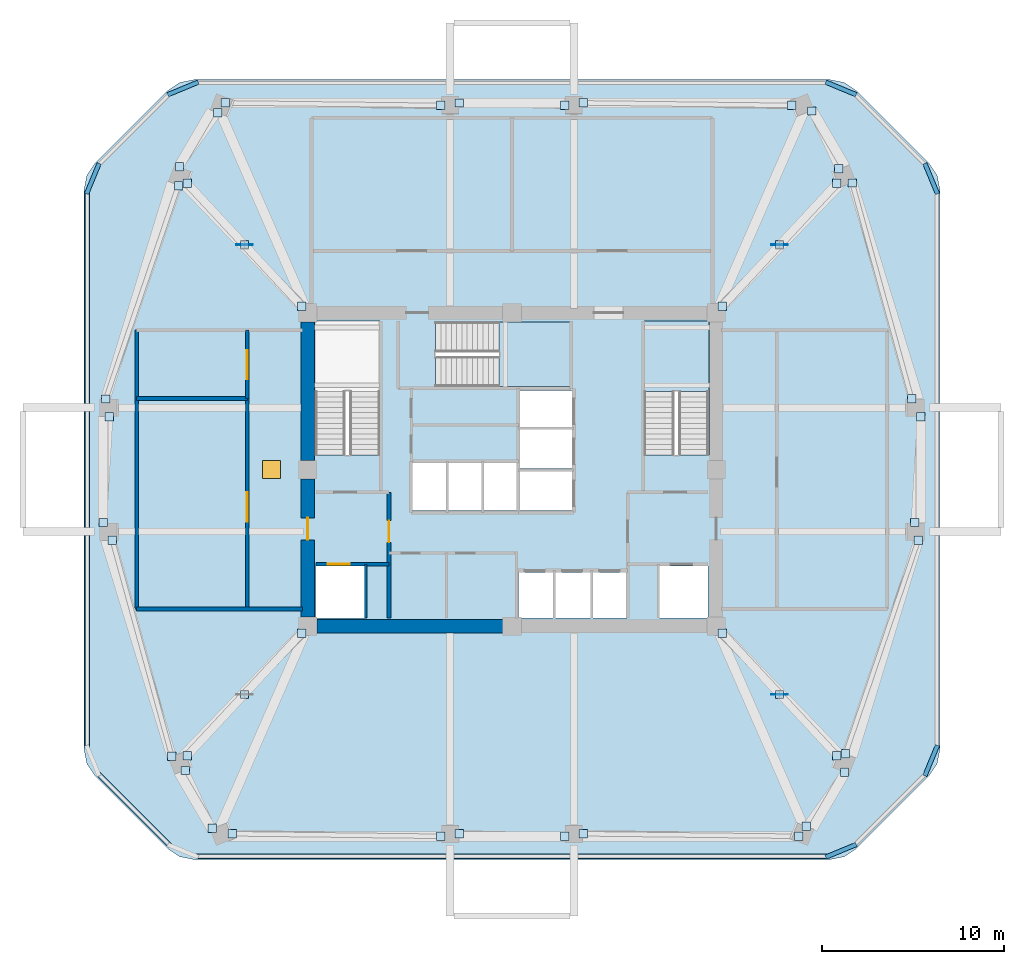
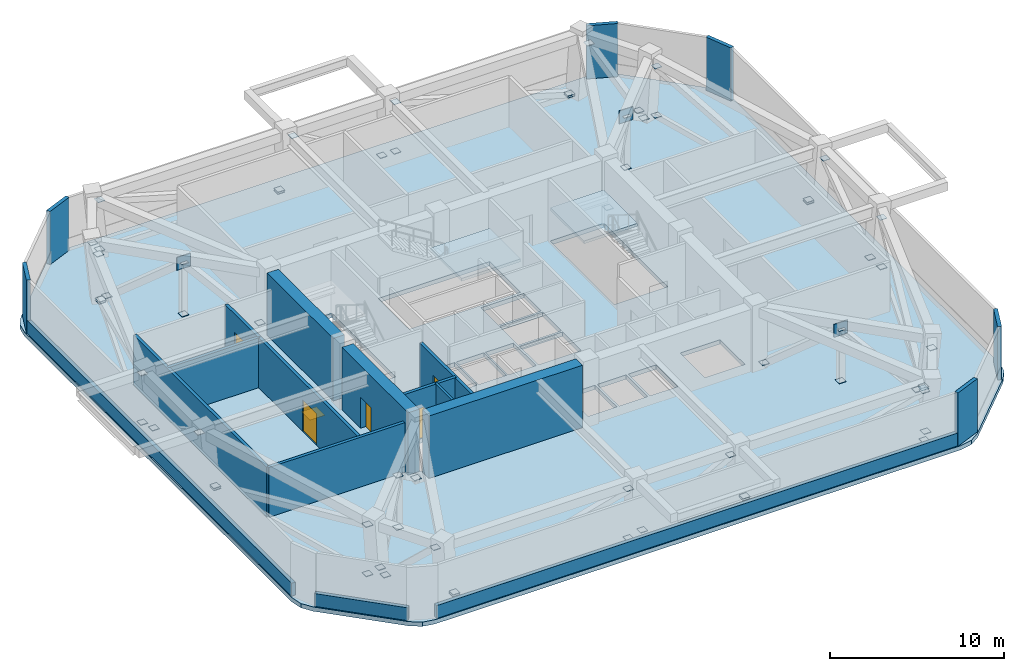
# One storey, part 3 of 8: 73 plates, 14 walls, 6 doors, 3 slabs, 6 openings, 2 elements without a shape of their own.
"""IFC4 building model written with IfcOpenShell, lengths in metres."""

from ifc_helpers import new_model, si_unit, derived_unit, direction, frame, frame_2d, origin, origin_2d, place, context, subcontext, project, spatial, polyline, rectangle, outline, extrude, material, layer, layer_set, type_object, element, fill, aggregate, save


model = new_model("IFC4")

# Units and contexts
model_context = context("Model", 3, precision=1e-05, world=origin(), true_north=direction((0.0, 1.0)))
body_context = subcontext(model_context, "Body", "Model", "MODEL_VIEW")
ifc_project = project(units=[si_unit("LENGTHUNIT", "METRE"), si_unit("AREAUNIT", "SQUARE_METRE"), si_unit("VOLUMEUNIT", "CUBIC_METRE"), si_unit("PLANEANGLEUNIT", "RADIAN"), si_unit("MASSUNIT", "GRAM", prefix="KILO"), derived_unit("THERMALTRANSMITTANCEUNIT", [(si_unit("POWERUNIT", "WATT"), 1), (si_unit("LENGTHUNIT", "METRE"), -2), (si_unit("THERMODYNAMICTEMPERATUREUNIT", "KELVIN"), -1)])], contexts=[model_context])

# Site, building, storey
site_placement = place(None, origin())
site = spatial("IfcSite", under=ifc_project, at=site_placement, CompositionType="ELEMENT")
building_placement = place(site_placement, origin())
building = spatial("IfcBuilding", under=site, at=building_placement, Name="Koralith Skygarden Medical Center", CompositionType="ELEMENT")
storey_placement = place(building_placement, frame((0.0, 0.0, 178.02001953125)))
storey = spatial("IfcBuildingStorey", under=building, at=storey_placement, Name="L46", CompositionType="ELEMENT", Elevation=178.02001953125)

# Stair, slab
ifc_material_1 = material(Name="Concrete C45/55", Category="concrete")
stair_type = type_object("IfcStairType", Name="Core Exit Dogleg Concrete Stair", PredefinedType="HALF_TURN_STAIR", material=ifc_material_1)
stair_1_placement = place(storey_placement, origin())
stair_1 = element("IfcStair", 1, at=stair_1_placement, inside=storey, type_object=stair_type, Name="L46 Smokeproof Exit Stair ST2", PredefinedType="HALF_TURN_STAIR")
ifc_layer_1 = layer(ifc_material_1, 0.199951171875)
ifc_layer_set_1 = layer_set([ifc_layer_1], Name="Concrete C45/55")
slab_type_1 = type_object("IfcSlabType", Name="Core Exit Concrete Stair Landing 200", PredefinedType="LANDING", material=ifc_layer_set_1)
slab_1_placement = place(storey_placement, frame((0.0, 0.0, 2.139892578125)))
slab_1 = element("IfcSlab", 2, at=slab_1_placement, type_object=slab_type_1, Name="ST2 landing 1", PredefinedType="LANDING", context=body_context, shape_type="SweptSolid", body=[
    extrude(outline(polyline([(47.800048828125, 30.179931640625), (47.800048828125, 34.050048828125), (44.25, 34.050048828125), (44.25, 30.179931640625), (47.800048828125, 30.179931640625)])), origin(), (0.0, 0.0, 1.0), 0.2001953125),
])
aggregate(stair_1, [slab_1])

stair_2_placement = place(storey_placement, origin())
stair_2 = element("IfcStair", 3, at=stair_2_placement, inside=storey, type_object=stair_type, Name="L46 Smokeproof Exit Stair ST3", PredefinedType="HALF_TURN_STAIR")
slab_2_placement = place(storey_placement, frame((0.0, 0.0, 2.139892578125)))
slab_2 = element("IfcSlab", 4, at=slab_2_placement, type_object=slab_type_1, Name="ST3 landing 1", PredefinedType="LANDING", context=body_context, shape_type="SweptSolid", body=[
    extrude(outline(polyline([(36.280029296875, 30.449951171875), (40.199951171875, 30.449951171875), (40.199951171875, 34.0), (36.280029296875, 34.0), (36.280029296875, 30.449951171875)])), origin(), (0.0, 0.0, 1.0), 0.2001953125),
])
aggregate(stair_2, [slab_2])

# Plates
ifc_material_2 = material(Name="Steel ASTM A572 Grade 50", Category="steel")
ifc_layer_2 = layer(ifc_material_2, 0.02490234375)
ifc_layer_set_2 = layer_set([ifc_layer_2], Name="Steel ASTM A572 Grade 50")
plate_type_1 = type_object("IfcPlateType", Name="Hollow Section End Cap Plate 25", PredefinedType="SHEET", material=ifc_layer_set_2)
for number, where, z_axis, x_axis, name in (
    (5, (48.547119140625, 34.873046875, 0.337646484375), (0.0, 0.0, 1.0), (1.0, 0.0, 0.0), "L46 Outrigger End Cap 01A"),
    (6, (51.681884765625, 38.240966796875, 3.66748046875), (0.0, 0.0, 1.0), (1.0, 0.0, 0.0), "L46 Outrigger Apex Cap 01M"),
    (7, (54.81689453125, 41.60888671875, 0.337646484375), (0.0, 0.0, 1.0), (1.0, 0.0, 0.0), "L46 Outrigger End Cap 01B"),
    (8, (51.681884765625, 38.240966796875, 0.007568359375), (0.0, 0.0, 1.0), (1.0, 0.0, 0.0), "L46 Outrigger Post Base Plate 01"),
    (9, (25.452880859375, 34.873046875, 0.337646484375), (0.0, 0.0, 1.0), (1.0, 0.0, 0.0), "L46 Outrigger End Cap 02A"),
    (10, (22.318115234375, 38.240966796875, 3.66748046875), (0.0, 0.0, 1.0), (1.0, 0.0, 0.0), "L46 Outrigger Apex Cap 02M"),
    (11, (19.18310546875, 41.60888671875, 0.337646484375), (0.0, 0.0, 1.0), (1.0, 0.0, 0.0), "L46 Outrigger End Cap 02B"),
    (12, (22.318115234375, 38.240966796875, 0.007568359375), (0.0, 0.0, 1.0), (1.0, 0.0, 0.0), "L46 Outrigger Post Base Plate 02"),
    (13, (25.452880859375, 16.927001953125, 0.337646484375), (0.0, 0.0, 1.0), (1.0, 0.0, 0.0), "L46 Outrigger End Cap 03A"),
    (14, (22.318115234375, 13.55908203125, 3.66748046875), (0.0, 0.0, 1.0), (1.0, 0.0, 0.0), "L46 Outrigger Apex Cap 03M"),
    (15, (19.18310546875, 10.19091796875, 0.337646484375), (0.0, 0.0, 1.0), (1.0, 0.0, 0.0), "L46 Outrigger End Cap 03B"),
    (16, (22.318115234375, 13.55908203125, 0.007568359375), (0.0, 0.0, 1.0), (1.0, 0.0, 0.0), "L46 Outrigger Post Base Plate 03"),
    (17, (48.547119140625, 16.927001953125, 0.337646484375), (0.0, 0.0, 1.0), (1.0, 0.0, 0.0), "L46 Outrigger End Cap 04A"),
    (18, (51.681884765625, 13.55908203125, 3.66748046875), (0.0, 0.0, 1.0), (1.0, 0.0, 0.0), "L46 Outrigger Apex Cap 04M"),
    (19, (54.81689453125, 10.19091796875, 0.337646484375), (0.0, 0.0, 1.0), (1.0, 0.0, 0.0), "L46 Outrigger End Cap 04B"),
    (20, (51.681884765625, 13.55908203125, 0.007568359375), (0.0, 0.0, 1.0), (1.0, 0.0, 0.0), "L46 Outrigger Post Base Plate 04"),
    (21, (15.069091796875, 22.01806640625, 0.337646484375), (0.0, 0.0, 1.0), (1.0, 0.0, 0.0), "L46 Belt Brace Cap 01A"),
    (22, (18.330078125, 10.172119140625, 3.66748046875), (0.0, 0.0, 1.0), (1.0, 0.0, 0.0), "L46 Belt Brace Cap 01B"),
    (23, (15.069091796875, 22.01806640625, 0.20751953125), (0.0, 0.0, 1.0), (1.0, 0.0, 0.0), "L46 Belt Chord Cap 01A"),
    (24, (18.330078125, 10.172119140625, 0.20751953125), (0.0, 0.0, 1.0), (1.0, 0.0, 0.0), "L46 Belt Chord Cap 01B"),
    (25, (19.06689453125, 9.386962890625, 0.337646484375), (0.0, 0.0, 1.0), (1.0, 0.0, 0.0), "L46 Belt Brace Cap 02A"),
    (26, (20.5439453125, 6.222900390625, 3.66748046875), (0.0, 0.0, 1.0), (1.0, 0.0, 0.0), "L46 Belt Brace Cap 02B"),
    (27, (21.64794921875, 5.9140625, 0.337646484375), (0.0, 0.0, 1.0), (1.0, 0.0, 0.0), "L46 Belt Brace Cap 03A"),
    (28, (33.10009765625, 5.77587890625, 3.66748046875), (0.0, 0.0, 1.0), (1.0, 0.0, 0.0), "L46 Belt Brace Cap 03B"),
    (29, (21.64794921875, 5.9140625, 0.20751953125), (0.0, 0.0, 1.0), (1.0, 0.0, 0.0), "L46 Belt Chord Cap 03A"),
    (30, (33.10009765625, 5.77587890625, 0.20751953125), (0.0, 0.0, 1.0), (1.0, 0.0, 0.0), "L46 Belt Chord Cap 03B"),
    (31, (34.10009765625, 5.908935546875, 0.337646484375), (0.0, 0.0, 1.0), (1.0, 0.0, 0.0), "L46 Belt Brace Cap 04A"),
    (32, (39.89990234375, 5.781005859375, 3.66748046875), (0.0, 0.0, 1.0), (1.0, 0.0, 0.0), "L46 Belt Brace Cap 04B"),
    (33, (40.89990234375, 5.9140625, 0.337646484375), (0.0, 0.0, 1.0), (1.0, 0.0, 0.0), "L46 Belt Brace Cap 05A"),
    (34, (52.7451171875, 5.77587890625, 3.66748046875), (0.0, 0.0, 1.0), (1.0, 0.0, 0.0), "L46 Belt Brace Cap 05B"),
    (35, (40.89990234375, 5.9140625, 0.20751953125), (0.0, 0.0, 1.0), (1.0, 0.0, 0.0), "L46 Belt Chord Cap 05A"),
    (36, (52.7451171875, 5.77587890625, 0.20751953125), (0.0, 0.0, 1.0), (1.0, 0.0, 0.0), "L46 Belt Chord Cap 05B"),
    (37, (53.14208984375, 6.326904296875, 0.337646484375), (0.0, 0.0, 1.0), (1.0, 0.0, 0.0), "L46 Belt Brace Cap 06A"),
    (38, (55.2470703125, 9.282958984375, 3.66748046875), (0.0, 0.0, 1.0), (1.0, 0.0, 0.0), "L46 Belt Brace Cap 06B"),
    (39, (55.304931640625, 10.31298828125, 0.337646484375), (0.0, 0.0, 1.0), (1.0, 0.0, 0.0), "L46 Belt Brace Cap 07A"),
    (40, (59.2958984375, 22.027099609375, 3.66748046875), (0.0, 0.0, 1.0), (1.0, 0.0, 0.0), "L46 Belt Brace Cap 07B"),
    (41, (55.304931640625, 10.31298828125, 0.20751953125), (0.0, 0.0, 1.0), (1.0, 0.0, 0.0), "L46 Belt Chord Cap 07A"),
    (42, (59.2958984375, 22.027099609375, 0.20751953125), (0.0, 0.0, 1.0), (1.0, 0.0, 0.0), "L46 Belt Chord Cap 07B"),
    (43, (59.093017578125, 22.9990234375, 0.337646484375), (0.0, 0.0, 1.0), (1.0, 0.0, 0.0), "L46 Belt Brace Cap 08A"),
    (44, (59.427978515625, 28.801025390625, 3.66748046875), (0.0, 0.0, 1.0), (1.0, 0.0, 0.0), "L46 Belt Brace Cap 08B"),
    (45, (58.930908203125, 29.781982421875, 0.337646484375), (0.0, 0.0, 1.0), (1.0, 0.0, 0.0), "L46 Belt Brace Cap 09A"),
    (46, (55.669921875, 41.6279296875, 3.66748046875), (0.0, 0.0, 1.0), (1.0, 0.0, 0.0), "L46 Belt Brace Cap 09B"),
    (47, (58.930908203125, 29.781982421875, 0.20751953125), (0.0, 0.0, 1.0), (1.0, 0.0, 0.0), "L46 Belt Chord Cap 09A"),
    (48, (55.669921875, 41.6279296875, 0.20751953125), (0.0, 0.0, 1.0), (1.0, 0.0, 0.0), "L46 Belt Chord Cap 09B"),
    (49, (54.93310546875, 42.4130859375, 0.337646484375), (0.0, 0.0, 1.0), (1.0, 0.0, 0.0), "L46 Belt Brace Cap 10A"),
    (50, (53.4560546875, 45.576904296875, 3.66748046875), (0.0, 0.0, 1.0), (1.0, 0.0, 0.0), "L46 Belt Brace Cap 10B"),
    (51, (52.35205078125, 45.885986328125, 0.337646484375), (0.0, 0.0, 1.0), (1.0, 0.0, 0.0), "L46 Belt Brace Cap 11A"),
    (52, (40.89990234375, 46.02392578125, 3.66748046875), (0.0, 0.0, 1.0), (1.0, 0.0, 0.0), "L46 Belt Brace Cap 11B"),
    (53, (52.35205078125, 45.885986328125, 0.20751953125), (0.0, 0.0, 1.0), (1.0, 0.0, 0.0), "L46 Belt Chord Cap 11A"),
    (54, (40.89990234375, 46.02392578125, 0.20751953125), (0.0, 0.0, 1.0), (1.0, 0.0, 0.0), "L46 Belt Chord Cap 11B"),
    (55, (39.89990234375, 45.89111328125, 0.337646484375), (0.0, 0.0, 1.0), (1.0, 0.0, 0.0), "L46 Belt Brace Cap 12A"),
    (56, (34.10009765625, 46.01904296875, 3.66748046875), (0.0, 0.0, 1.0), (1.0, 0.0, 0.0), "L46 Belt Brace Cap 12B"),
    (57, (33.10009765625, 45.885986328125, 0.337646484375), (0.0, 0.0, 1.0), (1.0, 0.0, 0.0), "L46 Belt Brace Cap 13A"),
    (58, (21.2548828125, 46.02392578125, 3.66748046875), (0.0, 0.0, 1.0), (1.0, 0.0, 0.0), "L46 Belt Brace Cap 13B"),
    (59, (33.10009765625, 45.885986328125, 0.20751953125), (0.0, 0.0, 1.0), (1.0, 0.0, 0.0), "L46 Belt Chord Cap 13A"),
    (60, (21.2548828125, 46.02392578125, 0.20751953125), (0.0, 0.0, 1.0), (1.0, 0.0, 0.0), "L46 Belt Chord Cap 13B"),
    (61, (20.85791015625, 45.472900390625, 0.337646484375), (0.0, 0.0, 1.0), (1.0, 0.0, 0.0), "L46 Belt Brace Cap 14A"),
    (62, (18.7529296875, 42.51708984375, 3.66748046875), (0.0, 0.0, 1.0), (1.0, 0.0, 0.0), "L46 Belt Brace Cap 14B"),
    (63, (18.695068359375, 41.487060546875, 0.337646484375), (0.0, 0.0, 1.0), (1.0, 0.0, 0.0), "L46 Belt Brace Cap 15A"),
    (64, (14.7041015625, 29.77294921875, 3.66748046875), (0.0, 0.0, 1.0), (1.0, 0.0, 0.0), "L46 Belt Brace Cap 15B"),
    (65, (18.695068359375, 41.487060546875, 0.20751953125), (0.0, 0.0, 1.0), (1.0, 0.0, 0.0), "L46 Belt Chord Cap 15A"),
    (66, (14.7041015625, 29.77294921875, 0.20751953125), (0.0, 0.0, 1.0), (1.0, 0.0, 0.0), "L46 Belt Chord Cap 15B"),
    (67, (14.906982421875, 28.801025390625, 0.337646484375), (0.0, 0.0, 1.0), (1.0, 0.0, 0.0), "L46 Belt Brace Cap 16A"),
    (68, (14.572021484375, 22.9990234375, 3.66748046875), (0.0, 0.0, 1.0), (1.0, 0.0, 0.0), "L46 Belt Brace Cap 16B"),
):
    element("IfcPlate", number, at=place(storey_placement, frame(where, z_axis=z_axis, x_axis=x_axis)), inside=storey, type_object=plate_type_1, Name=name, PredefinedType="SHEET", context=body_context, shape_type="SweptSolid", body=[
        extrude(rectangle(XDim=0.4599609375, YDim=0.4599609375, at=origin_2d()), origin(), (0.0, 0.0, 1.0), 0.02490234375),
    ])
ifc_layer_3 = layer(ifc_material_2, 0.0400390625)
ifc_layer_set_3 = layer_set([ifc_layer_3], Name="Steel ASTM A572 Grade 50")
plate_type_2 = type_object("IfcPlateType", Name="Outrigger Truss Gusset Plate 40", PredefinedType="USERDEFINED", material=ifc_layer_set_3)
for number, where, z_axis, x_axis, name in (
    (69, (51.681884765625, 38.240966796875, 3.22998046875), (0.0, 0.0, 1.0), (1.0, 0.0, 0.0), "L46 Outrigger Node Gusset Plate ORG-01"),
    (70, (22.318115234375, 38.240966796875, 3.22998046875), (0.0, 0.0, 1.0), (1.0, 0.0, 0.0), "L46 Outrigger Node Gusset Plate ORG-02"),
    (71, (51.681884765625, 13.55908203125, 3.22998046875), (0.0, 0.0, 1.0), (1.0, 0.0, 0.0), "L46 Outrigger Node Gusset Plate ORG-04"),
):
    element("IfcPlate", number, at=place(storey_placement, frame(where, z_axis=z_axis, x_axis=x_axis)), inside=storey, type_object=plate_type_2, Name=name, ObjectType="GUSSET_PLATE", PredefinedType="USERDEFINED", context=body_context, shape_type="SweptSolid", body=[
        extrude(rectangle(XDim=0.89990234375, YDim=0.0400390625, at=origin_2d()), origin(), (0.0, 0.0, 1.0), 0.89990234375),
    ])

# Slab, opening, door
ifc_layer_4 = layer(ifc_material_1, 0.300048828125)
ifc_layer_set_4 = layer_set([ifc_layer_4], Name="Concrete C45/55")
slab_type_2 = type_object("IfcSlabType", Name="Podium & Diagnostic Stiffened Slab 300", PredefinedType="FLOOR", material=ifc_layer_set_4)
slab_3_placement = place(storey_placement, frame((0.0, 0.0, -0.300048828125)))
slab_3 = element("IfcSlab", 72, at=slab_3_placement, inside=storey, type_object=slab_type_2, Name="Level L46 Structural Floor Slab", PredefinedType="FLOOR", context=body_context, shape_type="SweptSolid", body=[
    extrude(outline(polyline([(18.1298828125, 5.0859375), (18.779052734375, 4.652099609375), (19.5439453125, 4.5), (54.4560546875, 4.5), (55.220947265625, 4.652099609375), (55.8701171875, 5.0859375), (59.89794921875, 9.114013671875), (60.33203125, 9.762939453125), (60.48388671875, 10.528076171875), (60.48388671875, 41.27197265625), (60.33203125, 42.037109375), (59.89794921875, 42.68603515625), (55.8701171875, 46.714111328125), (55.220947265625, 47.14794921875), (54.4560546875, 47.300048828125), (19.5439453125, 47.300048828125), (18.779052734375, 47.14794921875), (18.1298828125, 46.714111328125), (14.10205078125, 42.68603515625), (13.66796875, 42.037109375), (13.51611328125, 41.27197265625), (13.51611328125, 10.528076171875), (13.66796875, 9.762939453125), (14.10205078125, 9.114013671875), (18.1298828125, 5.0859375)]), holes=[polyline([(26.199951171875, 26.705078125), (29.75, 26.705078125), (29.75, 34.050048828125), (26.199951171875, 34.050048828125), (26.199951171875, 26.705078125)]), polyline([(44.25, 26.705078125), (47.800048828125, 26.705078125), (47.800048828125, 34.050048828125), (44.25, 34.050048828125), (44.25, 26.705078125)]), polyline([(32.804931640625, 30.449951171875), (40.199951171875, 30.449951171875), (40.199951171875, 34.0), (32.804931640625, 34.0), (32.804931640625, 30.449951171875)]), polyline([(26.25, 17.75), (28.89990234375, 17.75), (28.89990234375, 20.60009765625), (26.25, 20.60009765625), (26.25, 17.75)]), polyline([(45.10009765625, 17.75), (47.75, 17.75), (47.75, 20.60009765625), (45.10009765625, 20.60009765625), (45.10009765625, 17.75)]), polyline([(37.35009765625, 17.75), (39.25, 17.75), (39.25, 20.25), (37.35009765625, 20.25), (37.35009765625, 17.75)]), polyline([(39.39990234375, 17.75), (41.300048828125, 17.75), (41.300048828125, 20.25), (39.39990234375, 20.25), (39.39990234375, 17.75)]), polyline([(41.449951171875, 17.75), (43.300048828125, 17.75), (43.300048828125, 20.25), (41.449951171875, 20.25), (41.449951171875, 17.75)]), polyline([(31.550048828125, 23.64990234375), (33.39990234375, 23.64990234375), (33.39990234375, 26.25), (31.550048828125, 26.25), (31.550048828125, 23.64990234375)]), polyline([(33.5, 23.64990234375), (35.35009765625, 23.64990234375), (35.35009765625, 26.25), (33.5, 26.25), (33.5, 23.64990234375)]), polyline([(35.449951171875, 23.64990234375), (37.300048828125, 23.64990234375), (37.300048828125, 26.25), (35.449951171875, 26.25), (35.449951171875, 23.64990234375)]), polyline([(37.449951171875, 23.64990234375), (40.300048828125, 23.64990234375), (40.300048828125, 25.800048828125), (37.449951171875, 25.800048828125), (37.449951171875, 23.64990234375)]), polyline([(37.449951171875, 25.949951171875), (40.300048828125, 25.949951171875), (40.300048828125, 28.10009765625), (37.449951171875, 28.10009765625), (37.449951171875, 25.949951171875)]), polyline([(37.449951171875, 28.25), (40.300048828125, 28.25), (40.300048828125, 30.25), (37.449951171875, 30.25), (37.449951171875, 28.25)])]), origin(), (0.0, 0.0, 1.0), 0.300048828125),
])
opening_1_placement = place(slab_3_placement, frame((23.800048828125, 25.89990234375, -0.010009765625)))
opening_1 = element("IfcOpeningElement", 73, at=opening_1_placement, cuts=slab_3, Name="Opening D-HAT", PredefinedType="OPENING", context=body_context, shape_type="SweptSolid", body=[
    extrude(rectangle(XDim=1.0, YDim=1.0, at=origin_2d()), origin(), (0.0, 0.0, 1.0), 0.320068359375),
])
ifc_material_3 = material(Name="Steel ASTM A500 Grade C", Category="steel")
door_type_1 = type_object("IfcDoorType", Name="Roof & Shaft Maintenance Access Hatch H-RF 1000", OperationType="NOTDEFINED", PredefinedType="TRAPDOOR", material=ifc_material_3)
door_1_placement = place(opening_1_placement, frame((0.0, 0.0, 0.2900390625)))
door_1 = element("IfcDoor", 74, at=door_1_placement, inside=storey, type_object=door_type_1, Name="L46 Service Access Hatch H-04", OperationType="SINGLE_SWING_LEFT", OverallHeight=1.0, OverallWidth=1.0, PredefinedType="TRAPDOOR", context=body_context, shape_type="SweptSolid", body=[
    extrude(rectangle(XDim=1.0, YDim=1.0, at=origin_2d()), origin(), (0.0, 0.0, 1.0), 0.02001953125),
])
fill(opening_1, door_1)

# Plates
ifc_material_4 = material(Name="Warm Oolitic Limestone Cladding", Category="masonry")
ifc_layer_5 = layer(ifc_material_4, 0.239990234375)
ifc_layer_set_5 = layer_set([ifc_layer_5], Name="Warm Oolitic Limestone Cladding")
plate_type_3 = type_object("IfcPlateType", Name="Rounded-Corner Oolitic Limestone Cladding Panel 240", PredefinedType="USERDEFINED", material=ifc_layer_set_5)
for number, where, z_axis, x_axis, name in (
    (75, (55.054931640625, 4.97998046875, 0.0), (0.0, 0.0, 1.0), (0.92388487569, 0.382670532536, 0.0), "L46 Rounded-Corner Limestone Pier 1"),
    (76, (60.00390625, 9.929931640625, 0.0), (0.0, 0.0, 1.0), (0.382670532536, 0.92388487569, 0.0), "L46 Rounded-Corner Limestone Pier 2"),
    (77, (60.00390625, 41.8701171875, 0.0), (0.0, 0.0, 1.0), (-0.382670532536, 0.92388487569, 0.0), "L46 Rounded-Corner Limestone Pier 3"),
    (78, (55.054931640625, 46.819091796875, 0.0), (0.0, 0.0, 1.0), (-0.92388487569, 0.382670532536, 0.0), "L46 Rounded-Corner Limestone Pier 4"),
    (79, (18.945068359375, 46.819091796875, 0.0), (0.0, 0.0, 1.0), (-0.92388487569, -0.382670532536, 0.0), "L46 Rounded-Corner Limestone Pier 5"),
    (80, (13.9970703125, 41.8701171875, 0.0), (0.0, 0.0, 1.0), (-0.382670532536, -0.92388487569, 0.0), "L46 Rounded-Corner Limestone Pier 6"),
):
    element("IfcPlate", number, at=place(storey_placement, frame(where, z_axis=z_axis, x_axis=x_axis)), inside=storey, type_object=plate_type_3, Name=name, ObjectType="LIMESTONE CLADDING", PredefinedType="USERDEFINED", context=body_context, shape_type="SweptSolid", body=[
        extrude(rectangle(XDim=1.81103515625, YDim=0.239990234375, at=origin_2d()), origin(), (0.0, 0.0, 1.0), 3.72998046875),
    ])

# Wall, opening, door
ifc_material_5 = material(Name="Gypsum Board Partition")
ifc_layer_6 = layer(ifc_material_5, 0.199951171875)
ifc_layer_set_6 = layer_set([ifc_layer_6], Name="Gypsum Board Partition")
wall_type_1 = type_object("IfcWallType", Name="Fire Shaft Wall 200", PredefinedType="SOLIDWALL", material=ifc_layer_set_6)
wall_1_placement = place(storey_placement, frame((26.25, 20.699951171875, 0.0), z_axis=(0.0, 0.0, 1.0), x_axis=(1.0, 0.0, 0.0)))
wall_1 = element("IfcWall", 81, at=wall_1_placement, inside=storey, type_object=wall_type_1, Name="L46 Fire Shaft Wall 200 W-CORE-L46-FF1-N", PredefinedType="SOLIDWALL", context=body_context, shape_type="SweptSolid", body=[
    extrude(rectangle(XDim=4.0, YDim=0.199951171875, at=frame_2d((2.0, 0.0))), origin(), (0.0, 0.0, 1.0), 3.489990234375),
])
opening_2_placement = place(wall_1_placement, frame((0.64990234375, 0.0, 0.0)))
opening_2 = element("IfcOpeningElement", 82, at=opening_2_placement, cuts=wall_1, Name="Opening LD-FF", PredefinedType="OPENING", context=body_context, shape_type="SweptSolid", body=[
    extrude(rectangle(XDim=1.199951171875, YDim=2.14990234375, at=frame_2d((0.60009765625, 1.074951171875))), frame((0.0, 0.10986328125, 0.0), z_axis=(0.0, -1.0, 0.0), x_axis=(1.0, 0.0, 0.0)), (0.0, 0.0, 1.0), 0.219970703125),
])
door_type_2 = type_object("IfcDoorType", Name="Fire Lift Sliding Landing Door LD-FF 1200", OperationType="NOTDEFINED", PredefinedType="DOOR", material=ifc_material_3)
door_2_placement = place(opening_2_placement, origin())
door_2 = element("IfcDoor", 83, at=door_2_placement, inside=storey, type_object=door_type_2, Name="L46 Fire Service Elevator FF1 Landing Door", OperationType="SLIDING_TO_LEFT", OverallHeight=2.14990234375, OverallWidth=1.199951171875, PredefinedType="DOOR", context=body_context, shape_type="SweptSolid", body=[
    extrude(rectangle(XDim=1.199951171875, YDim=2.14990234375, at=frame_2d((0.60009765625, 1.074951171875))), frame((0.0, 0.02490234375, 0.0), z_axis=(0.0, -1.0, 0.0), x_axis=(1.0, 0.0, 0.0)), (0.0, 0.0, 1.0), 0.050048828125),
])
fill(opening_2, door_2)

wall_2_placement = place(storey_placement, frame((30.25, 17.75, 0.0), z_axis=(0.0, 0.0, 1.0), x_axis=(0.0, 1.0, 0.0)))
wall_2 = element("IfcWall", 84, at=wall_2_placement, inside=storey, type_object=wall_type_1, Name="L46 Fire Shaft Wall 200 W-CORE-L46-FSAEW-E", PredefinedType="SOLIDWALL", context=body_context, shape_type="SweptSolid", body=[
    extrude(rectangle(XDim=6.89990234375, YDim=0.199951171875, at=frame_2d((3.449951171875, 0.0))), origin(), (0.0, 0.0, 1.0), 3.489990234375),
])
opening_3_placement = place(wall_2_placement, frame((4.14990234375, 0.0, 0.0)))
opening_3 = element("IfcOpeningElement", 85, at=opening_3_placement, cuts=wall_2, Name="Opening D-ST60", PredefinedType="OPENING", context=body_context, shape_type="SweptSolid", body=[
    extrude(rectangle(XDim=1.199951171875, YDim=2.14990234375, at=frame_2d((0.60009765625, 1.074951171875))), frame((0.0, 0.10986328125, 0.0), z_axis=(0.0, -1.0, 0.0), x_axis=(1.0, 0.0, 0.0)), (0.0, 0.0, 1.0), 0.219970703125),
])
door_type_3 = type_object("IfcDoorType", Name="Smokeproof Stair Fire Door FD60S 1200", OperationType="NOTDEFINED", PredefinedType="DOOR", material=ifc_material_3)
door_3_placement = place(opening_3_placement, origin())
door_3 = element("IfcDoor", 86, at=door_3_placement, inside=storey, type_object=door_type_3, Name="L46 West Firefighting Lobby Inner Fire Door", OperationType="SINGLE_SWING_LEFT", OverallHeight=2.14990234375, OverallWidth=1.199951171875, PredefinedType="DOOR", context=body_context, shape_type="SweptSolid", body=[
    extrude(rectangle(XDim=1.199951171875, YDim=2.14990234375, at=frame_2d((0.60009765625, 1.074951171875))), frame((0.0, 0.02490234375, 0.0), z_axis=(0.0, -1.0, 0.0), x_axis=(1.0, 0.0, 0.0)), (0.0, 0.0, 1.0), 0.050048828125),
])
fill(opening_3, door_3)

# Walls
wall_3_placement = place(storey_placement, frame((16.39990234375, 18.25, 0.0), z_axis=(0.0, 0.0, 1.0), x_axis=(1.0, 0.0, 0.0)))
element("IfcWall", 87, at=wall_3_placement, inside=storey, type_object=wall_type_1, Name="L46 Fire Shaft Wall 200 W-PL-L46-WC-S", PredefinedType="SOLIDWALL", context=body_context, shape_type="SweptSolid", body=[
    extrude(rectangle(XDim=9.10009765625, YDim=0.199951171875, at=frame_2d((4.550048828125, 0.0))), origin(), (0.0, 0.0, 1.0), 3.489990234375),
])
wall_4_placement = place(storey_placement, frame((16.39990234375, 18.25, 0.0), z_axis=(0.0, 0.0, 1.0), x_axis=(0.0, 1.0, 0.0)))
element("IfcWall", 88, at=wall_4_placement, inside=storey, type_object=wall_type_1, Name="L46 Fire Shaft Wall 200 W-PL-L46-WP-W", PredefinedType="SOLIDWALL", context=body_context, shape_type="SweptSolid", body=[
    extrude(rectangle(XDim=15.300048828125, YDim=0.199951171875, at=frame_2d((7.64990234375, 0.0))), origin(), (0.0, 0.0, 1.0), 3.489990234375),
])
wall_5_placement = place(storey_placement, frame((16.39990234375, 29.800048828125, 0.0), z_axis=(0.0, 0.0, 1.0), x_axis=(1.0, 0.0, 0.0)))
element("IfcWall", 89, at=wall_5_placement, inside=storey, type_object=wall_type_1, Name="L46 Fire Shaft Wall 200 W-PL-L46-WP-M", PredefinedType="SOLIDWALL", context=body_context, shape_type="SweptSolid", body=[
    extrude(rectangle(XDim=6.080078125, YDim=0.199951171875, at=frame_2d((3.0400390625, 0.0))), origin(), (0.0, 0.0, 1.0), 3.489990234375),
])

# Wall, opening, door
wall_6_placement = place(storey_placement, frame((22.47998046875, 18.25, 0.0), z_axis=(0.0, 0.0, 1.0), x_axis=(0.0, 1.0, 0.0)))
wall_6 = element("IfcWall", 90, at=wall_6_placement, inside=storey, type_object=wall_type_1, Name="L46 Fire Shaft Wall 200 W-PL-L46-WC-W1", PredefinedType="SOLIDWALL", context=body_context, shape_type="SweptSolid", body=[
    extrude(rectangle(XDim=11.550048828125, YDim=0.199951171875, at=frame_2d((5.77490234375, 0.0))), origin(), (0.0, 0.0, 1.0), 3.489990234375),
])
opening_4_placement = place(wall_6_placement, frame((4.800048828125, 0.0, 0.0)))
opening_4 = element("IfcOpeningElement", 91, at=opening_4_placement, cuts=wall_6, Name="Opening D-DBL", PredefinedType="OPENING", context=body_context, shape_type="SweptSolid", body=[
    extrude(rectangle(XDim=1.60009765625, YDim=2.199951171875, at=frame_2d((0.800048828125, 1.10009765625))), frame((0.0, 0.10986328125, 0.0), z_axis=(0.0, -1.0, 0.0), x_axis=(1.0, 0.0, 0.0)), (0.0, 0.0, 1.0), 0.219970703125),
])
ifc_material_6 = material(Name="Aluminium 6063-T6", Category="aluminium")
door_type_4 = type_object("IfcDoorType", Name="Double Clinical Suite Door D-DBL 1600", OperationType="NOTDEFINED", PredefinedType="DOOR", material=ifc_material_6)
door_4_placement = place(opening_4_placement, frame((1.60009765625, 0.0, 0.0), z_axis=(0.0, 0.0, 1.0), x_axis=(-1.0, 0.0, 0.0)))
door_4 = element("IfcDoor", 92, at=door_4_placement, inside=storey, type_object=door_type_4, Name="L46 West Pressurized Smoke Refuge Area Fire Door", OperationType="DOUBLE_DOOR_SINGLE_SWING", OverallHeight=2.199951171875, OverallWidth=1.60009765625, PredefinedType="DOOR", context=body_context, shape_type="SweptSolid", body=[
    extrude(rectangle(XDim=1.60009765625, YDim=2.199951171875, at=frame_2d((0.800048828125, 1.10009765625))), frame((0.0, 0.02490234375, 0.0), z_axis=(0.0, -1.0, 0.0), x_axis=(1.0, 0.0, 0.0)), (0.0, 0.0, 1.0), 0.050048828125),
])
fill(opening_4, door_4)

wall_7_placement = place(storey_placement, frame((22.47998046875, 29.800048828125, 0.0), z_axis=(0.0, 0.0, 1.0), x_axis=(0.0, 1.0, 0.0)))
wall_7 = element("IfcWall", 93, at=wall_7_placement, inside=storey, type_object=wall_type_1, Name="L46 Fire Shaft Wall 200 W-PL-L46-WC-W2", PredefinedType="SOLIDWALL", context=body_context, shape_type="SweptSolid", body=[
    extrude(rectangle(XDim=3.75, YDim=0.199951171875, at=frame_2d((1.875, 0.0))), origin(), (0.0, 0.0, 1.0), 3.489990234375),
])
opening_5_placement = place(wall_7_placement, frame((1.050048828125, 0.0, 0.0)))
opening_5 = element("IfcOpeningElement", 94, at=opening_5_placement, cuts=wall_7, Name="Opening D-DBL", PredefinedType="OPENING", context=body_context, shape_type="SweptSolid", body=[
    extrude(rectangle(XDim=1.60009765625, YDim=2.199951171875, at=frame_2d((0.800048828125, 1.10009765625))), frame((0.0, 0.10986328125, 0.0), z_axis=(0.0, -1.0, 0.0), x_axis=(1.0, 0.0, 0.0)), (0.0, 0.0, 1.0), 0.219970703125),
])
door_5_placement = place(opening_5_placement, frame((1.60009765625, 0.0, 0.0), z_axis=(0.0, 0.0, 1.0), x_axis=(-1.0, 0.0, 0.0)))
door_5 = element("IfcDoor", 95, at=door_5_placement, inside=storey, type_object=door_type_4, Name="L46 Fire Reserve Water Booster and BMS Plant Room Fire Door", OperationType="DOUBLE_DOOR_SINGLE_SWING", OverallHeight=2.199951171875, OverallWidth=1.60009765625, PredefinedType="DOOR", context=body_context, shape_type="SweptSolid", body=[
    extrude(rectangle(XDim=1.60009765625, YDim=2.199951171875, at=frame_2d((0.800048828125, 1.10009765625))), frame((0.0, 0.02490234375, 0.0), z_axis=(0.0, -1.0, 0.0), x_axis=(1.0, 0.0, 0.0)), (0.0, 0.0, 1.0), 0.050048828125),
])
fill(opening_5, door_5)

# Walls
ifc_layer_7 = layer(ifc_material_4, 0.239990234375)
ifc_layer_set_7 = layer_set([ifc_layer_7], Name="Warm Oolitic Limestone Cladding")
wall_type_2 = type_object("IfcWallType", Name="Limestone Spandrel Sill Backup Wall 240", PredefinedType="SOLIDWALL", material=ifc_layer_set_7)
wall_8_placement = place(storey_placement, frame((19.6708984375, 4.679931640625, 0.0), z_axis=(0.0, 0.0, 1.0), x_axis=(1.0, 0.0, 0.0)))
element("IfcWall", 96, at=wall_8_placement, inside=storey, type_object=wall_type_2, Name="L46 Plant Sill Backup Wall S", PredefinedType="SOLIDWALL", context=body_context, shape_type="SweptSolid", body=[
    extrude(rectangle(XDim=34.658203125, YDim=0.239990234375, at=frame_2d((17.3291015625, 0.0))), origin(), (0.0, 0.0, 1.0), 0.89990234375),
])
wall_9_placement = place(storey_placement, frame((13.696044921875, 41.14501953125, 0.0), z_axis=(0.0, 0.0, 1.0), x_axis=(0.0, -1.0, 0.0)))
element("IfcWall", 97, at=wall_9_placement, inside=storey, type_object=wall_type_2, Name="L46 Plant Sill Backup Wall W", PredefinedType="SOLIDWALL", context=body_context, shape_type="SweptSolid", body=[
    extrude(rectangle(XDim=30.489990234375, YDim=0.239990234375, at=frame_2d((15.2451171875, 0.0))), origin(), (0.0, 0.0, 1.0), 0.89990234375),
])
wall_10_placement = place(storey_placement, frame((14.297119140625, 9.2041015625, 0.0), z_axis=(0.0, 0.0, 1.0), x_axis=(0.707084777957, -0.707128783731, 0.0)))
element("IfcWall", 98, at=wall_10_placement, inside=storey, type_object=wall_type_2, Name="L46 Plant Sill Backup Wall SW", PredefinedType="SOLIDWALL", context=body_context, shape_type="SweptSolid", body=[
    extrude(rectangle(XDim=5.5478515625, YDim=0.239990234375, at=frame_2d((2.77392578125, 0.0))), origin(), (0.0, 0.0, 1.0), 0.89990234375),
])
ifc_material_7 = material(Name="Concrete C70/85", Category="concrete")
ifc_layer_8 = layer(ifc_material_7, 0.75)
ifc_layer_set_8 = layer_set([ifc_layer_8], Name="Concrete C70/85")
wall_type_3 = type_object("IfcWallType", Name="Mid Core Shear Wall 750", PredefinedType="SHEAR", material=ifc_layer_set_8)
wall_11_placement = place(storey_placement, frame((26.304931640625, 17.300048828125, 0.0), z_axis=(0.0, 0.0, 1.0), x_axis=(1.0, 0.0, 0.0)))
element("IfcWall", 99, at=wall_11_placement, inside=storey, type_object=wall_type_3, Name="L46 Core Shear Wall Segment 1", PredefinedType="SHEAR", context=body_context, shape_type="SweptSolid", body=[
    extrude(rectangle(XDim=10.190185546875, YDim=0.75, at=frame_2d((5.09521484375, 0.0))), origin(), (0.0, 0.0, 1.0), 4.3798828125),
])
wall_12_placement = place(storey_placement, frame((25.800048828125, 33.9951171875, 0.0), z_axis=(0.0, 0.0, 1.0), x_axis=(0.0, -1.0, 0.0)))
element("IfcWall", 100, at=wall_12_placement, inside=storey, type_object=wall_type_3, Name="L46 Core Shear Wall Segment 7", PredefinedType="SHEAR", context=body_context, shape_type="SweptSolid", body=[
    extrude(rectangle(XDim=7.590087890625, YDim=0.75, at=frame_2d((3.794921875, 0.0))), origin(), (0.0, 0.0, 1.0), 4.3798828125),
])

# Wall, opening, door
wall_13_placement = place(storey_placement, frame((25.800048828125, 25.39501953125, 0.0), z_axis=(0.0, 0.0, 1.0), x_axis=(0.0, -1.0, 0.0)))
wall_13 = element("IfcWall", 101, at=wall_13_placement, inside=storey, type_object=wall_type_3, Name="L46 Core Shear Wall Segment 8", PredefinedType="SHEAR", context=body_context, shape_type="SweptSolid", body=[
    extrude(rectangle(XDim=7.590087890625, YDim=0.75, at=frame_2d((3.794921875, 0.0))), origin(), (0.0, 0.0, 1.0), 4.3798828125),
])
opening_6_placement = place(wall_13_placement, frame((2.14501953125, 0.0, 0.0)))
opening_6 = element("IfcOpeningElement", 102, at=opening_6_placement, cuts=wall_13, Name="Opening D-ST60", PredefinedType="OPENING", context=body_context, shape_type="SweptSolid", body=[
    extrude(rectangle(XDim=1.199951171875, YDim=2.14990234375, at=frame_2d((0.60009765625, 1.074951171875))), frame((0.0, 0.385009765625, 0.0), z_axis=(0.0, -1.0, 0.0), x_axis=(1.0, 0.0, 0.0)), (0.0, 0.0, 1.0), 0.77001953125),
])
door_6_placement = place(opening_6_placement, frame((1.199951171875, 0.0, 0.0), z_axis=(0.0, 0.0, 1.0), x_axis=(-1.0, 0.0, 0.0)))
door_6 = element("IfcDoor", 103, at=door_6_placement, inside=storey, type_object=door_type_3, Name="L46 West Corridor to Firefighting Lobby Door", OperationType="SINGLE_SWING_LEFT", OverallHeight=2.14990234375, OverallWidth=1.199951171875, PredefinedType="DOOR", context=body_context, shape_type="SweptSolid", body=[
    extrude(rectangle(XDim=1.199951171875, YDim=2.14990234375, at=frame_2d((0.60009765625, 1.074951171875))), frame((0.0, 0.02490234375, 0.0), z_axis=(0.0, -1.0, 0.0), x_axis=(1.0, 0.0, 0.0)), (0.0, 0.0, 1.0), 0.050048828125),
])
fill(opening_6, door_6)

# Wall
ifc_layer_9 = layer(ifc_material_5, 0.14990234375)
ifc_layer_set_9 = layer_set([ifc_layer_9], Name="Gypsum Board Partition")
wall_type_4 = type_object("IfcWallType", Name="Shaft Partition Wall 150", PredefinedType="PARTITIONING", material=ifc_layer_set_9)
wall_14_placement = place(storey_placement, frame((28.969970703125, 17.75, 0.0), z_axis=(0.0, 0.0, 1.0), x_axis=(0.0, 1.0, 0.0)))
element("IfcWall", 104, at=wall_14_placement, inside=storey, type_object=wall_type_4, Name="L46 Shaft Partition Wall 150 W-CORE-L46-RSRW-DIV", PredefinedType="PARTITIONING", context=body_context, shape_type="SweptSolid", body=[
    extrude(rectangle(XDim=2.949951171875, YDim=0.14990234375, at=frame_2d((1.47509765625, 0.0))), origin(), (0.0, 0.0, 1.0), 3.489990234375),
])

save(model, "model.ifc")
